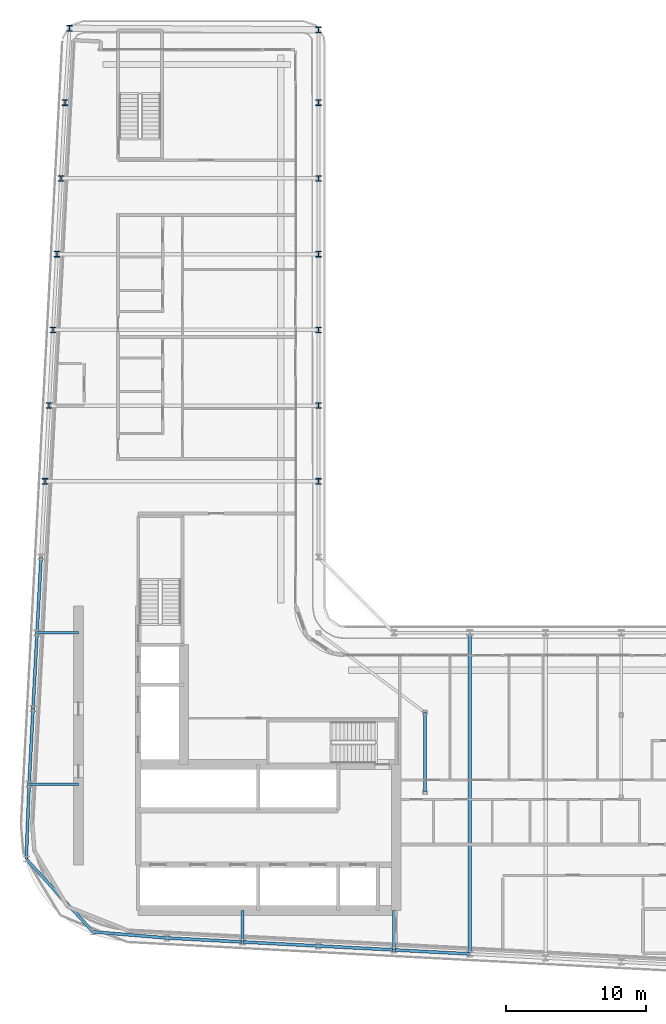
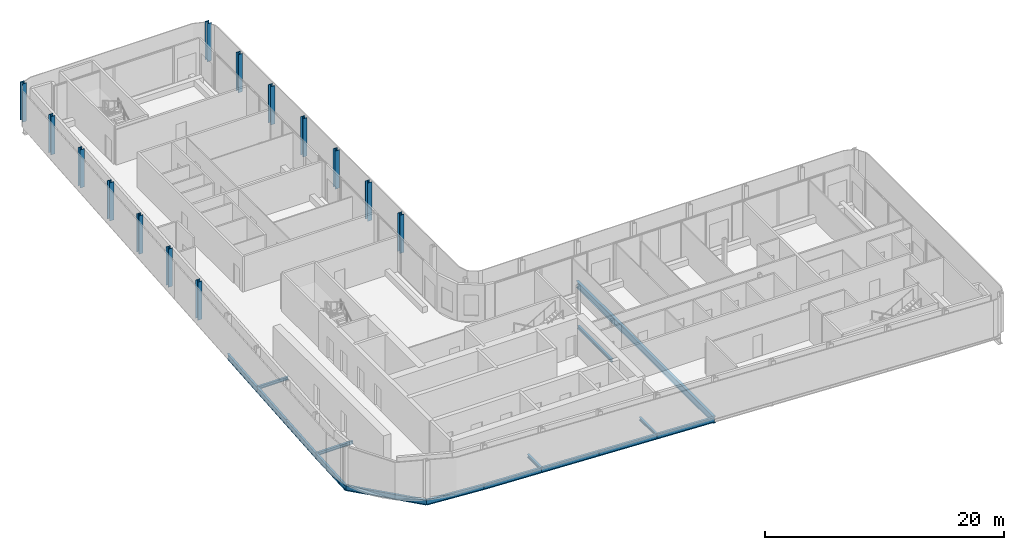
# One storey, part 3 of 21: 16 beams, 14 columns.
"""IFC4 building model written with IfcOpenShell, lengths in metres."""

from ifc_helpers import new_model, si_unit, direction, frame, origin, origin_2d, place, context, subcontext, project, spatial, i_section, extrude, material, material_profile, profile_set, type_object, element, save


model = new_model("IFC4")

# Units and contexts
model_context = context("Model", 3, precision=1e-05, world=origin(), true_north=direction((0.0, 1.0)))
body_context = subcontext(model_context, "Body", "Model", "MODEL_VIEW")
ifc_project = project(units=[si_unit("LENGTHUNIT", "METRE"), si_unit("AREAUNIT", "SQUARE_METRE"), si_unit("VOLUMEUNIT", "CUBIC_METRE"), si_unit("PLANEANGLEUNIT", "RADIAN"), si_unit("MASSUNIT", "GRAM", prefix="KILO")], contexts=[model_context])

# Site, building, storey
site_placement = place(None, origin())
site = spatial("IfcSite", under=ifc_project, at=site_placement, CompositionType="ELEMENT")
building_placement = place(site_placement, origin())
building = spatial("IfcBuilding", under=site, at=building_placement, Name="Kheshtan School and Residences Tower", CompositionType="ELEMENT")
storey_placement = place(building_placement, frame((0.0, 0.0, 224.0)))
storey = spatial("IfcBuildingStorey", under=building, at=storey_placement, Name="L52", CompositionType="ELEMENT", Elevation=224.0)

# Columns
ifc_material = material(Name="Steel ASTM A992 Grade 50", Category="steel")
ifc_material_profile_1 = material_profile(ifc_material, i_section(OverallWidth=0.404052734375, OverallDepth=0.406982421875, WebThickness=0.027099609375, FlangeThickness=0.043701171875, FilletRadius=0.01220703125, at=origin_2d()), Name="W360x347")
ifc_profile_set_1 = profile_set([ifc_material_profile_1], Name="Steel ASTM A992 Grade 50")
column_type = type_object("IfcColumnType", Name="Column C4 W360x347 ASTM A992 Grade 50", PredefinedType="COLUMN", material=ifc_profile_set_1)
for number, where, z_axis, x_axis, name in (
    (1, (28.10595703125, 56.39990234375, 0.0), (0.0, 0.0, 1.0), (1.0, 0.0, 0.0), "Column C080"),
    (2, (47.60009765625, 56.39990234375, 0.0), (0.0, 0.0, 1.0), (1.0, 0.0, 0.0), "Column C081"),
    (3, (28.389892578125, 61.800048828125, 0.0), (0.0, 0.0, 1.0), (1.0, 0.0, 0.0), "Column C082"),
    (4, (47.60009765625, 61.800048828125, 0.0), (0.0, 0.0, 1.0), (1.0, 0.0, 0.0), "Column C083"),
    (5, (28.674072265625, 67.199951171875, 0.0), (0.0, 0.0, 1.0), (1.0, 0.0, 0.0), "Column C084"),
    (6, (47.60009765625, 67.199951171875, 0.0), (0.0, 0.0, 1.0), (1.0, 0.0, 0.0), "Column C085"),
    (7, (28.9580078125, 72.60009765625, 0.0), (0.0, 0.0, 1.0), (1.0, 0.0, 0.0), "Column C086"),
    (8, (47.60009765625, 72.60009765625, 0.0), (0.0, 0.0, 1.0), (1.0, 0.0, 0.0), "Column C087"),
    (9, (29.242919921875, 78.0, 0.0), (0.0, 0.0, 1.0), (1.0, 0.0, 0.0), "Column C088"),
    (10, (47.60009765625, 78.0, 0.0), (0.0, 0.0, 1.0), (1.0, 0.0, 0.0), "Column C089"),
    (11, (29.527099609375, 83.39990234375, 0.0), (0.0, 0.0, 1.0), (1.0, 0.0, 0.0), "Column C090"),
    (12, (47.60009765625, 83.39990234375, 0.0), (0.0, 0.0, 1.0), (1.0, 0.0, 0.0), "Column C091"),
    (13, (47.611083984375, 88.60009765625, 0.0), (0.0, 0.0, 1.0), (1.0, 0.0, 0.0), "Column C093"),
    (14, (29.85400390625, 88.7099609375, 0.0), (0.0, 0.0, 1.0), (1.0, 0.0, 0.0), "Column C096"),
):
    element("IfcColumn", number, at=place(storey_placement, frame(where, z_axis=z_axis, x_axis=x_axis)), inside=storey, type_object=column_type, Name=name, PredefinedType="COLUMN", context=body_context, shape_type="SweptSolid", body=[
        extrude(i_section(OverallWidth=0.404052734375, OverallDepth=0.406982421875, WebThickness=0.027099609375, FlangeThickness=0.043701171875, FilletRadius=0.01220703125, at=origin_2d()), origin(), (0.0, 0.0, 1.0), 3.89990234375),
    ])

# Beams
ifc_material_profile_2 = material_profile(ifc_material, i_section(OverallWidth=0.202880859375, OverallDepth=0.302978515625, WebThickness=0.007568359375, FlangeThickness=0.01318359375, FilletRadius=0.009033203125, at=origin_2d()), Name="W310x60")
ifc_profile_set_2 = profile_set([ifc_material_profile_2], Name="Steel ASTM A992 Grade 50")
beam_type_1 = type_object("IfcBeamType", Name="Beam FB1 W310x60 ASTM A992 Grade 50", PredefinedType="BEAM", material=ifc_profile_set_2)
beam_1_placement = place(storey_placement, frame((53.0, 22.97998046875, -0.301513671875), z_axis=(0.0, 1.0, 0.0), x_axis=(-1.0, 0.0, 0.0)))
element("IfcBeam", 15, at=beam_1_placement, inside=storey, type_object=beam_type_1, Name="Floor beam C019", PredefinedType="BEAM", context=body_context, shape_type="SweptSolid", body=[
    extrude(i_section(OverallWidth=0.202880859375, OverallDepth=0.302978515625, WebThickness=0.007568359375, FlangeThickness=0.01318359375, FilletRadius=0.009033203125, at=origin_2d()), origin(), (0.0, 0.0, 1.0), 2.820068359375),
])
beam_2_placement = place(storey_placement, frame((42.199951171875, 23.548095703125, -0.301513671875), z_axis=(0.0, 1.0, 0.0), x_axis=(-1.0, 0.0, 0.0)))
element("IfcBeam", 16, at=beam_2_placement, inside=storey, type_object=beam_type_1, Name="Floor beam C021", PredefinedType="BEAM", context=body_context, shape_type="SweptSolid", body=[
    extrude(i_section(OverallWidth=0.202880859375, OverallDepth=0.302978515625, WebThickness=0.007568359375, FlangeThickness=0.01318359375, FilletRadius=0.009033203125, at=origin_2d()), origin(), (0.0, 0.0, 1.0), 2.251953125),
])
beam_3_placement = place(storey_placement, frame((26.968994140625, 34.800048828125, -0.301513671875), z_axis=(1.0, 0.0, 0.0), x_axis=(0.0, 1.0, 0.0)))
element("IfcBeam", 17, at=beam_3_placement, inside=storey, type_object=beam_type_1, Name="Floor beam C052", PredefinedType="BEAM", context=body_context, shape_type="SweptSolid", body=[
    extrude(i_section(OverallWidth=0.202880859375, OverallDepth=0.302978515625, WebThickness=0.007568359375, FlangeThickness=0.01318359375, FilletRadius=0.009033203125, at=origin_2d()), origin(), (0.0, 0.0, 1.0), 3.531005859375),
])
beam_4_placement = place(storey_placement, frame((27.537109375, 45.60009765625, -0.301513671875), z_axis=(1.0, 0.0, 0.0), x_axis=(0.0, 1.0, 0.0)))
element("IfcBeam", 18, at=beam_4_placement, inside=storey, type_object=beam_type_1, Name="Floor beam C059", PredefinedType="BEAM", context=body_context, shape_type="SweptSolid", body=[
    extrude(i_section(OverallWidth=0.202880859375, OverallDepth=0.302978515625, WebThickness=0.007568359375, FlangeThickness=0.01318359375, FilletRadius=0.009033203125, at=origin_2d()), origin(), (0.0, 0.0, 1.0), 2.962890625),
])
beam_5_placement = place(storey_placement, frame((55.199951171875, 34.23193359375, -0.301513671875), z_axis=(0.0, 1.0, 0.0), x_axis=(-1.0, 0.0, 0.0)))
element("IfcBeam", 19, at=beam_5_placement, inside=storey, type_object=beam_type_1, Name="Floor beam IC", PredefinedType="BEAM", context=body_context, shape_type="SweptSolid", body=[
    extrude(i_section(OverallWidth=0.202880859375, OverallDepth=0.302978515625, WebThickness=0.007568359375, FlangeThickness=0.01318359375, FilletRadius=0.009033203125, at=origin_2d()), origin(), (0.0, 0.0, 1.0), 5.68408203125),
])
ifc_material_profile_3 = material_profile(ifc_material, i_section(OverallWidth=0.2529296875, OverallDepth=0.677978515625, WebThickness=0.01171875, FlangeThickness=0.016357421875, FilletRadius=0.0146484375, at=origin_2d()), Name="W690x125")
ifc_profile_set_3 = profile_set([ifc_material_profile_3], Name="Steel ASTM A992 Grade 50")
beam_type_2 = type_object("IfcBeamType", Name="Beam FB6 W690x125 ASTM A992 Grade 50", PredefinedType="BEAM", material=ifc_profile_set_3)
beam_6_placement = place(storey_placement, frame((58.39990234375, 45.60009765625, -0.489013671875), z_axis=(0.0, -1.0, 0.0), x_axis=(1.0, 0.0, 0.0)))
element("IfcBeam", 20, at=beam_6_placement, inside=storey, type_object=beam_type_2, Name="Floor beam C062", PredefinedType="BEAM", context=body_context, shape_type="SweptSolid", body=[
    extrude(i_section(OverallWidth=0.2529296875, OverallDepth=0.677978515625, WebThickness=0.01171875, FlangeThickness=0.016357421875, FilletRadius=0.0146484375, at=origin_2d()), origin(), (0.0, 0.0, 1.0), 22.905029296875),
])
ifc_material_profile_4 = material_profile(ifc_material, i_section(OverallWidth=0.208984375, OverallDepth=0.532958984375, WebThickness=0.01025390625, FlangeThickness=0.015625, FilletRadius=0.013916015625, at=origin_2d()), Name="W530x92")
ifc_profile_set_4 = profile_set([ifc_material_profile_4], Name="Steel ASTM A992 Grade 50")
beam_type_3 = type_object("IfcBeamType", Name="Beam SP3 W530x92 ASTM A992 Grade 50", PredefinedType="BEAM", material=ifc_profile_set_4)
for number, where, z_axis, x_axis, name in (
    (21, (58.39990234375, 22.695068359375, -0.41650390625), (-0.998610961136, 0.052689166816, 0.0), (-0.052689166816, -0.998610961136, 0.0), "Spandrel beam C018-C019"),
    (22, (53.0, 22.97998046875, -0.41650390625), (-0.998620447272, 0.05250906864, 0.0), (-0.05250906864, -0.998620447272, 0.0), "Spandrel beam C019-C020"),
):
    element("IfcBeam", number, at=place(storey_placement, frame(where, z_axis=z_axis, x_axis=x_axis)), inside=storey, type_object=beam_type_3, Name=name, PredefinedType="BEAM", context=body_context, shape_type="SweptSolid", body=[
        extrude(i_section(OverallWidth=0.208984375, OverallDepth=0.532958984375, WebThickness=0.01025390625, FlangeThickness=0.015625, FilletRadius=0.013916015625, at=origin_2d()), origin(), (0.0, 0.0, 1.0), 5.407470703125),
    ])
beam_7_placement = place(storey_placement, frame((47.60009765625, 23.263916015625, -0.41650390625), z_axis=(-0.998618203458, 0.052551724256, 0.0), x_axis=(-0.052551724256, -0.998618203458, 0.0)))
element("IfcBeam", 23, at=beam_7_placement, inside=storey, type_object=beam_type_3, Name="Spandrel beam C020-C021", PredefinedType="BEAM", context=body_context, shape_type="SweptSolid", body=[
    extrude(i_section(OverallWidth=0.208984375, OverallDepth=0.532958984375, WebThickness=0.01025390625, FlangeThickness=0.015625, FilletRadius=0.013916015625, at=origin_2d()), origin(), (0.0, 0.0, 1.0), 5.40771484375),
])
beam_8_placement = place(storey_placement, frame((42.199951171875, 23.548095703125, -0.41650390625), z_axis=(-0.998620447272, 0.05250906864, 0.0), x_axis=(-0.05250906864, -0.998620447272, 0.0)))
element("IfcBeam", 24, at=beam_8_placement, inside=storey, type_object=beam_type_3, Name="Spandrel beam C021-C022", PredefinedType="BEAM", context=body_context, shape_type="SweptSolid", body=[
    extrude(i_section(OverallWidth=0.208984375, OverallDepth=0.532958984375, WebThickness=0.01025390625, FlangeThickness=0.015625, FilletRadius=0.013916015625, at=origin_2d()), origin(), (0.0, 0.0, 1.0), 5.407470703125),
])
beam_9_placement = place(storey_placement, frame((36.800048828125, 23.83203125, -0.41650390625), z_axis=(-0.996554342707, 0.082942401897, 0.0), x_axis=(-0.082942401897, -0.996554342707, 0.0)))
element("IfcBeam", 25, at=beam_9_placement, inside=storey, type_object=beam_type_3, Name="Spandrel beam C022-C027", PredefinedType="BEAM", context=body_context, shape_type="SweptSolid", body=[
    extrude(i_section(OverallWidth=0.208984375, OverallDepth=0.532958984375, WebThickness=0.01025390625, FlangeThickness=0.015625, FilletRadius=0.013916015625, at=origin_2d()), origin(), (0.0, 0.0, 1.0), 5.29248046875),
])
beam_10_placement = place(storey_placement, frame((31.52587890625, 24.27099609375, -0.41650390625), z_axis=(-0.676066790823, 0.736840345221, 0.0), x_axis=(-0.736840345221, -0.676066790823, 0.0)))
element("IfcBeam", 26, at=beam_10_placement, inside=storey, type_object=beam_type_3, Name="Spandrel beam C027-C040", PredefinedType="BEAM", context=body_context, shape_type="SweptSolid", body=[
    extrude(i_section(OverallWidth=0.208984375, OverallDepth=0.532958984375, WebThickness=0.01025390625, FlangeThickness=0.015625, FilletRadius=0.013916015625, at=origin_2d()), origin(), (0.0, 0.0, 1.0), 7.042236328125),
])
beam_11_placement = place(storey_placement, frame((26.764892578125, 29.4599609375, -0.41650390625), z_axis=(0.038192751183, 0.999270390714, 0.0), x_axis=(-0.999270390714, 0.038192751183, 0.0)))
element("IfcBeam", 27, at=beam_11_placement, inside=storey, type_object=beam_type_3, Name="Spandrel beam C040-C052", PredefinedType="BEAM", context=body_context, shape_type="SweptSolid", body=[
    extrude(i_section(OverallWidth=0.208984375, OverallDepth=0.532958984375, WebThickness=0.01025390625, FlangeThickness=0.015625, FilletRadius=0.013916015625, at=origin_2d()), origin(), (0.0, 0.0, 1.0), 5.343994140625),
])
beam_12_placement = place(storey_placement, frame((26.968994140625, 34.800048828125, -0.41650390625), z_axis=(0.05250906864, 0.998620447272, 0.0), x_axis=(-0.998620447272, 0.05250906864, 0.0)))
element("IfcBeam", 28, at=beam_12_placement, inside=storey, type_object=beam_type_3, Name="Spandrel beam C052-C056", PredefinedType="BEAM", context=body_context, shape_type="SweptSolid", body=[
    extrude(i_section(OverallWidth=0.208984375, OverallDepth=0.532958984375, WebThickness=0.01025390625, FlangeThickness=0.015625, FilletRadius=0.013916015625, at=origin_2d()), origin(), (0.0, 0.0, 1.0), 5.407470703125),
])
beam_13_placement = place(storey_placement, frame((27.2529296875, 40.199951171875, -0.41650390625), z_axis=(0.052551724256, 0.998618203458, 0.0), x_axis=(-0.998618203458, 0.052551724256, 0.0)))
element("IfcBeam", 29, at=beam_13_placement, inside=storey, type_object=beam_type_3, Name="Spandrel beam C056-C059", PredefinedType="BEAM", context=body_context, shape_type="SweptSolid", body=[
    extrude(i_section(OverallWidth=0.208984375, OverallDepth=0.532958984375, WebThickness=0.01025390625, FlangeThickness=0.015625, FilletRadius=0.013916015625, at=origin_2d()), origin(), (0.0, 0.0, 1.0), 5.40771484375),
])
beam_14_placement = place(storey_placement, frame((27.537109375, 45.60009765625, -0.41650390625), z_axis=(0.052689166816, 0.998610961136, 0.0), x_axis=(-0.998610961136, 0.052689166816, 0.0)))
element("IfcBeam", 30, at=beam_14_placement, inside=storey, type_object=beam_type_3, Name="Spandrel beam C059-C078", PredefinedType="BEAM", context=body_context, shape_type="SweptSolid", body=[
    extrude(i_section(OverallWidth=0.208984375, OverallDepth=0.532958984375, WebThickness=0.01025390625, FlangeThickness=0.015625, FilletRadius=0.013916015625, at=origin_2d()), origin(), (0.0, 0.0, 1.0), 5.407470703125),
])

save(model, "model.ifc")
